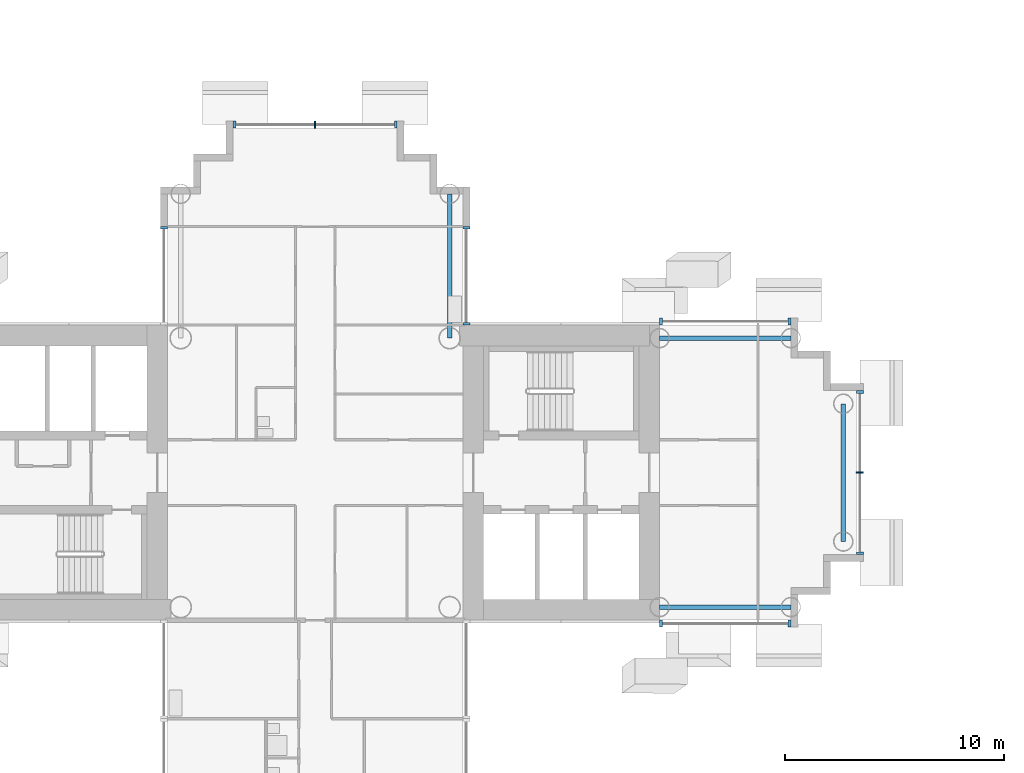
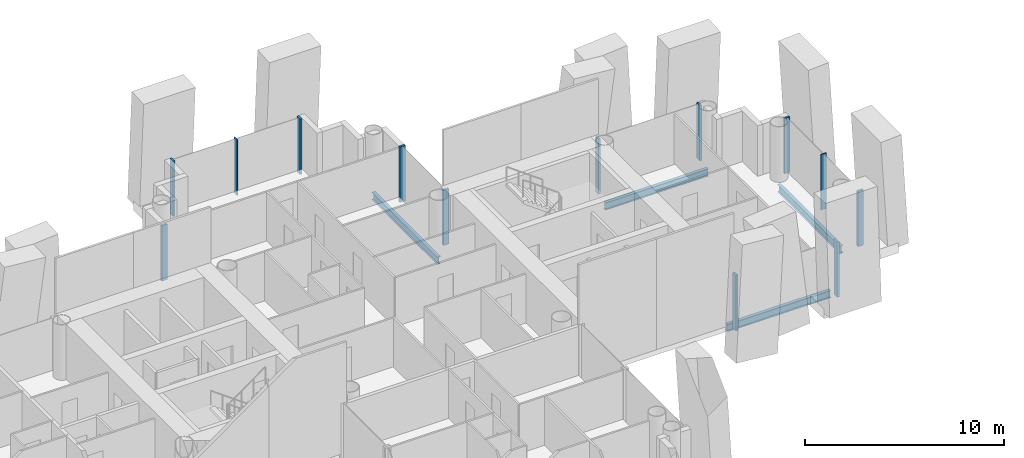
# One storey, part 4 of 21: 13 members, 4 beams, 6 elements without a shape of their own.
"""IFC4 building model written with IfcOpenShell, lengths in metres."""

from ifc_helpers import new_model, si_unit, direction, frame, origin, origin_2d, place, context, subcontext, project, spatial, rectangle, i_section, extrude, material, layer, layer_set, material_profile, profile_set, type_object, element, aggregate, save


model = new_model("IFC4")

# Units and contexts
model_context = context("Model", 3, precision=1e-05, world=origin(), true_north=direction((0.0, 1.0)))
body_context = subcontext(model_context, "Body", "Model", "MODEL_VIEW")
ifc_project = project(units=[si_unit("LENGTHUNIT", "METRE"), si_unit("AREAUNIT", "SQUARE_METRE"), si_unit("VOLUMEUNIT", "CUBIC_METRE"), si_unit("PLANEANGLEUNIT", "RADIAN"), si_unit("MASSUNIT", "GRAM", prefix="KILO")], contexts=[model_context])

# Site, building, storey
site_placement = place(None, origin())
site = spatial("IfcSite", under=ifc_project, at=site_placement, CompositionType="ELEMENT")
building_placement = place(site_placement, origin())
building = spatial("IfcBuilding", under=site, at=building_placement, Name="Ipe Terrace Towers", CompositionType="ELEMENT")
storey_placement = place(building_placement, frame((0.0, 0.0, 86.800048828125)))
storey = spatial("IfcBuildingStorey", under=building, at=storey_placement, Name="L23", CompositionType="ELEMENT", Elevation=86.800048828125)

# Beams
ifc_material_1 = material(Name="Steel S355", Category="steel")
ifc_material_profile_1 = material_profile(ifc_material_1, i_section(OverallWidth=0.199951171875, OverallDepth=0.449951171875, WebThickness=0.009033203125, FlangeThickness=0.013916015625, at=origin_2d()), Name="H-450x200x9x14")
ifc_profile_set_1 = profile_set([ifc_material_profile_1], Name="Steel S355")
beam_type = type_object("IfcBeamType", Name="H08 EDGE BEAM H-450x200x9x14", PredefinedType="BEAM", material=ifc_profile_set_1)
for number, where, z_axis, x_axis, name in (
    (1, (-20.25, -6.14990234375, -0.625), (1.0, 0.0, 0.0), (0.0, 1.0, 0.0), "Edge beam T1-EB-A01-A03"),
    (2, (-20.25, 6.14990234375, -0.625), (1.0, 0.0, 0.0), (0.0, 1.0, 0.0), "Edge beam T1-EB-A02-A04"),
):
    element("IfcBeam", number, at=place(storey_placement, frame(where, z_axis=z_axis, x_axis=x_axis)), inside=storey, type_object=beam_type, Name=name, PredefinedType="BEAM", context=body_context, shape_type="SweptSolid", body=[
        extrude(i_section(OverallWidth=0.199951171875, OverallDepth=0.449951171875, WebThickness=0.009033203125, FlangeThickness=0.013916015625, at=origin_2d()), origin(), (0.0, 0.0, 1.0), 6.0),
    ])
beam_1_placement = place(storey_placement, frame((-11.85009765625, -3.14990234375, -0.625), z_axis=(0.0, 1.0, 0.0), x_axis=(-1.0, 0.0, 0.0)))
element("IfcBeam", 3, at=beam_1_placement, inside=storey, type_object=beam_type, Name="Edge beam T1-EB-A05-A06", PredefinedType="BEAM", context=body_context, shape_type="SweptSolid", body=[
    extrude(i_section(OverallWidth=0.199951171875, OverallDepth=0.449951171875, WebThickness=0.009033203125, FlangeThickness=0.013916015625, at=origin_2d()), origin(), (0.0, 0.0, 1.0), 6.2998046875),
])
beam_2_placement = place(storey_placement, frame((-29.85009765625, 12.75, -0.625), z_axis=(0.0, -1.0, 0.0), x_axis=(1.0, 0.0, 0.0)))
element("IfcBeam", 4, at=beam_2_placement, inside=storey, type_object=beam_type, Name="Edge beam T1-EB-B01-E03", PredefinedType="BEAM", context=body_context, shape_type="SweptSolid", body=[
    extrude(i_section(OverallWidth=0.199951171875, OverallDepth=0.449951171875, WebThickness=0.009033203125, FlangeThickness=0.013916015625, at=origin_2d()), origin(), (0.0, 0.0, 1.0), 6.60009765625),
])

# Curtain wall, members
ifc_material_2 = material(Name="Aluminium alloy 6063-T6", Category="aluminium")
ifc_layer = layer(ifc_material_2, 0.320068359375)
ifc_layer_set = layer_set([ifc_layer], Name="TOWER UNITISED CURTAIN WALL")
curtain_wall_type = type_object("IfcCurtainWallType", Name="TOWER UNITISED CURTAIN WALL", PredefinedType="NOTDEFINED", material=ifc_layer_set)
curtain_wall_1_placement = place(storey_placement, origin())
curtain_wall_1 = element("IfcCurtainWall", 5, at=curtain_wall_1_placement, inside=storey, type_object=curtain_wall_type, Name="T1-CW-L23-20b curtain wall", PredefinedType="NOTDEFINED")
ifc_material_3 = material(Name="Aluminium alloy 6063-T6", Category="aluminium")
ifc_material_profile_2 = material_profile(ifc_material_3, rectangle(XDim=0.320068359375, YDim=0.1201171875, at=origin_2d()), Name="TOWER UNITISED CORNER MULLION 320 x 120")
ifc_profile_set_2 = profile_set([ifc_material_profile_2], Name="Aluminium alloy 6063-T6")
member_type_1 = type_object("IfcMemberType", Name="TOWER UNITISED CORNER MULLION 320 x 120", PredefinedType="MULLION", material=ifc_profile_set_2)
member_1_placement = place(storey_placement, frame((-20.18896484375, -6.909912109375, -0.300048828125), z_axis=(0.0, 0.0, 1.0), x_axis=(0.0, -1.0, 0.0)))
member_1 = element("IfcMember", 6, at=member_1_placement, type_object=member_type_1, Name="T1-CW-L23-20b mullion 1", PredefinedType="MULLION", context=body_context, shape_type="SweptSolid", body=[
    extrude(rectangle(XDim=0.320068359375, YDim=0.1201171875, at=origin_2d()), origin(), (0.0, 0.0, 1.0), 3.39990234375),
])
member_2_placement = place(storey_placement, frame((-14.31005859375, -6.909912109375, -0.300048828125), z_axis=(0.0, 0.0, 1.0), x_axis=(0.0, -1.0, 0.0)))
member_2 = element("IfcMember", 7, at=member_2_placement, type_object=member_type_1, Name="T1-CW-L23-20b mullion 2", PredefinedType="MULLION", context=body_context, shape_type="SweptSolid", body=[
    extrude(rectangle(XDim=0.320068359375, YDim=0.1201171875, at=origin_2d()), origin(), (0.0, 0.0, 1.0), 3.39990234375),
])
aggregate(curtain_wall_1, [member_1, member_2])

curtain_wall_2_placement = place(storey_placement, origin())
curtain_wall_2 = element("IfcCurtainWall", 8, at=curtain_wall_2_placement, inside=storey, type_object=curtain_wall_type, Name="T1-CW-L23-25a curtain wall", PredefinedType="NOTDEFINED")
member_3_placement = place(storey_placement, frame((-11.090087890625, -3.68994140625, -0.300048828125), z_axis=(0.0, 0.0, 1.0), x_axis=(1.0, 0.0, 0.0)))
member_3 = element("IfcMember", 9, at=member_3_placement, type_object=member_type_1, Name="T1-CW-L23-25a mullion 1", PredefinedType="MULLION", context=body_context, shape_type="SweptSolid", body=[
    extrude(rectangle(XDim=0.320068359375, YDim=0.1201171875, at=origin_2d()), origin(), (0.0, 0.0, 1.0), 3.39990234375),
])
member_4_placement = place(storey_placement, frame((-11.090087890625, 3.68994140625, -0.300048828125), z_axis=(0.0, 0.0, 1.0), x_axis=(1.0, 0.0, 0.0)))
member_4 = element("IfcMember", 10, at=member_4_placement, type_object=member_type_1, Name="T1-CW-L23-25a mullion 3", PredefinedType="MULLION", context=body_context, shape_type="SweptSolid", body=[
    extrude(rectangle(XDim=0.320068359375, YDim=0.1201171875, at=origin_2d()), origin(), (0.0, 0.0, 1.0), 3.39990234375),
])

curtain_wall_3_placement = place(storey_placement, origin())
curtain_wall_3 = element("IfcCurtainWall", 11, at=curtain_wall_3_placement, inside=storey, type_object=curtain_wall_type, Name="T1-CW-L23-30a curtain wall", PredefinedType="NOTDEFINED")
member_5_placement = place(storey_placement, frame((-14.31005859375, 6.909912109375, -0.300048828125), z_axis=(0.0, 0.0, 1.0), x_axis=(0.0, 1.0, 0.0)))
member_5 = element("IfcMember", 12, at=member_5_placement, type_object=member_type_1, Name="T1-CW-L23-30a mullion 1", PredefinedType="MULLION", context=body_context, shape_type="SweptSolid", body=[
    extrude(rectangle(XDim=0.320068359375, YDim=0.1201171875, at=origin_2d()), origin(), (0.0, 0.0, 1.0), 3.39990234375),
])
member_6_placement = place(storey_placement, frame((-20.18896484375, 6.909912109375, -0.300048828125), z_axis=(0.0, 0.0, 1.0), x_axis=(0.0, 1.0, 0.0)))
member_6 = element("IfcMember", 13, at=member_6_placement, type_object=member_type_1, Name="T1-CW-L23-30a mullion 2", PredefinedType="MULLION", context=body_context, shape_type="SweptSolid", body=[
    extrude(rectangle(XDim=0.320068359375, YDim=0.1201171875, at=origin_2d()), origin(), (0.0, 0.0, 1.0), 3.39990234375),
])
aggregate(curtain_wall_3, [member_5, member_6])

curtain_wall_4_placement = place(storey_placement, origin())
curtain_wall_4 = element("IfcCurtainWall", 14, at=curtain_wall_4_placement, inside=storey, type_object=curtain_wall_type, Name="T1-CW-L23-32a curtain wall", PredefinedType="NOTDEFINED")
member_7_placement = place(storey_placement, frame((-29.090087890625, 6.81005859375, -0.300048828125), z_axis=(0.0, 0.0, 1.0), x_axis=(1.0, 0.0, 0.0)))
member_7 = element("IfcMember", 15, at=member_7_placement, type_object=member_type_1, Name="T1-CW-L23-32a mullion 1", PredefinedType="MULLION", context=body_context, shape_type="SweptSolid", body=[
    extrude(rectangle(XDim=0.320068359375, YDim=0.1201171875, at=origin_2d()), origin(), (0.0, 0.0, 1.0), 3.39990234375),
])
member_8_placement = place(storey_placement, frame((-29.090087890625, 11.18994140625, -0.300048828125), z_axis=(0.0, 0.0, 1.0), x_axis=(1.0, 0.0, 0.0)))
member_8 = element("IfcMember", 16, at=member_8_placement, type_object=member_type_1, Name="T1-CW-L23-32a mullion 2", PredefinedType="MULLION", context=body_context, shape_type="SweptSolid", body=[
    extrude(rectangle(XDim=0.320068359375, YDim=0.1201171875, at=origin_2d()), origin(), (0.0, 0.0, 1.0), 3.39990234375),
])
aggregate(curtain_wall_4, [member_7, member_8])

curtain_wall_5_placement = place(storey_placement, origin())
curtain_wall_5 = element("IfcCurtainWall", 17, at=curtain_wall_5_placement, inside=storey, type_object=curtain_wall_type, Name="T1-CW-L23-38a curtain wall", PredefinedType="NOTDEFINED")
member_9_placement = place(storey_placement, frame((-32.31005859375, 15.909912109375, -0.300048828125), z_axis=(0.0, 0.0, 1.0), x_axis=(0.0, 1.0, 0.0)))
member_9 = element("IfcMember", 18, at=member_9_placement, type_object=member_type_1, Name="T1-CW-L23-38a mullion 1", PredefinedType="MULLION", context=body_context, shape_type="SweptSolid", body=[
    extrude(rectangle(XDim=0.320068359375, YDim=0.1201171875, at=origin_2d()), origin(), (0.0, 0.0, 1.0), 3.39990234375),
])
member_10_placement = place(storey_placement, frame((-39.68994140625, 15.909912109375, -0.300048828125), z_axis=(0.0, 0.0, 1.0), x_axis=(0.0, 1.0, 0.0)))
member_10 = element("IfcMember", 19, at=member_10_placement, type_object=member_type_1, Name="T1-CW-L23-38a mullion 3", PredefinedType="MULLION", context=body_context, shape_type="SweptSolid", body=[
    extrude(rectangle(XDim=0.320068359375, YDim=0.1201171875, at=origin_2d()), origin(), (0.0, 0.0, 1.0), 3.39990234375),
])

# Curtain wall, member
curtain_wall_6_placement = place(storey_placement, origin())
curtain_wall_6 = element("IfcCurtainWall", 20, at=curtain_wall_6_placement, inside=storey, type_object=curtain_wall_type, Name="T1-CW-L23-44a curtain wall", PredefinedType="NOTDEFINED")
member_11_placement = place(storey_placement, frame((-42.909912109375, 11.18994140625, -0.300048828125), z_axis=(0.0, 0.0, 1.0), x_axis=(-1.0, 0.0, 0.0)))
member_11 = element("IfcMember", 21, at=member_11_placement, type_object=member_type_1, Name="T1-CW-L23-44a mullion 1", PredefinedType="MULLION", context=body_context, shape_type="SweptSolid", body=[
    extrude(rectangle(XDim=0.320068359375, YDim=0.1201171875, at=origin_2d()), origin(), (0.0, 0.0, 1.0), 3.39990234375),
])
aggregate(curtain_wall_6, [member_11])

# Member
ifc_material_4 = material(Name="Aluminium alloy 6063-T6", Category="aluminium")
ifc_material_profile_3 = material_profile(ifc_material_4, rectangle(XDim=0.320068359375, YDim=0.06494140625, at=origin_2d()), Name="TOWER UNITISED MULLION 320 x 65")
ifc_profile_set_3 = profile_set([ifc_material_profile_3], Name="Aluminium alloy 6063-T6")
member_type_2 = type_object("IfcMemberType", Name="TOWER UNITISED MULLION 320 x 65", PredefinedType="MULLION", material=ifc_profile_set_3)
member_12_placement = place(storey_placement, frame((-11.090087890625, 0.0, -0.300048828125), z_axis=(0.0, 0.0, 1.0), x_axis=(1.0, 0.0, 0.0)))
member_12 = element("IfcMember", 22, at=member_12_placement, type_object=member_type_2, Name="T1-CW-L23-25a mullion 2", PredefinedType="MULLION", context=body_context, shape_type="SweptSolid", body=[
    extrude(rectangle(XDim=0.320068359375, YDim=0.06494140625, at=origin_2d()), origin(), (0.0, 0.0, 1.0), 3.39990234375),
])

aggregate(curtain_wall_2, [member_3, member_12, member_4])

member_13_placement = place(storey_placement, frame((-36.0, 15.909912109375, -0.300048828125), z_axis=(0.0, 0.0, 1.0), x_axis=(0.0, 1.0, 0.0)))
member_13 = element("IfcMember", 23, at=member_13_placement, type_object=member_type_2, Name="T1-CW-L23-38a mullion 2", PredefinedType="MULLION", context=body_context, shape_type="SweptSolid", body=[
    extrude(rectangle(XDim=0.320068359375, YDim=0.06494140625, at=origin_2d()), origin(), (0.0, 0.0, 1.0), 3.39990234375),
])

aggregate(curtain_wall_5, [member_9, member_13, member_10])

save(model, "model.ifc")
